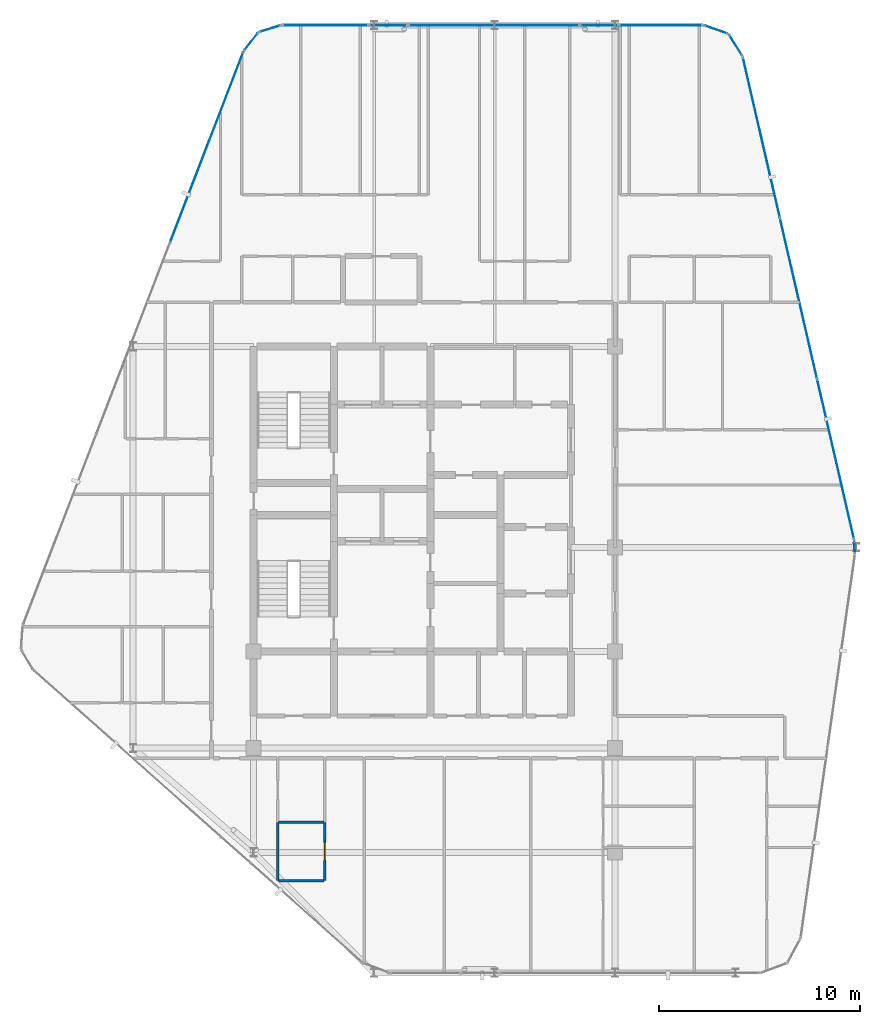
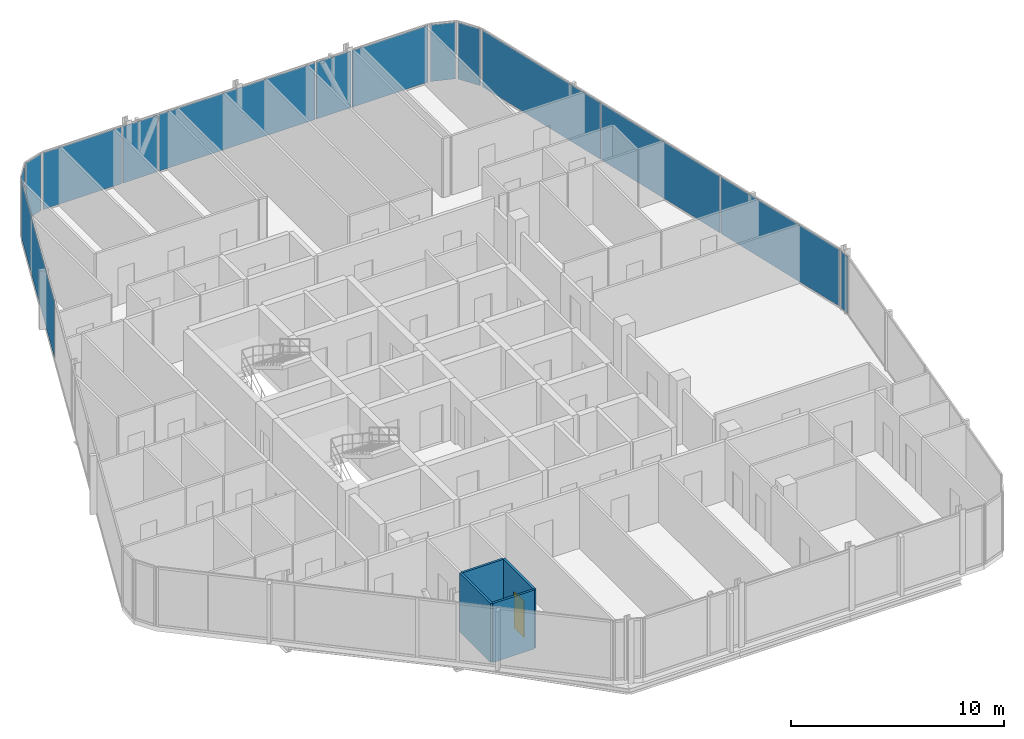
# One storey, part 21 of 27: 14 plates, 4 walls, 1 door, 1 opening, 12 elements without a shape of their own.
"""IFC4 building model written with IfcOpenShell, lengths in metres."""

from ifc_helpers import new_model, si_unit, direction, frame, frame_2d, origin, origin_2d, place, context, subcontext, project, spatial, rectangle, extrude, material, layer, layer_set, type_object, element, fill, aggregate, save


model = new_model("IFC4")

# Units and contexts
model_context = context("Model", 3, precision=1e-05, world=origin(), true_north=direction((0.0, 1.0)))
body_context = subcontext(model_context, "Body", "Model", "MODEL_VIEW")
ifc_project = project(units=[si_unit("LENGTHUNIT", "METRE"), si_unit("AREAUNIT", "SQUARE_METRE"), si_unit("VOLUMEUNIT", "CUBIC_METRE"), si_unit("PLANEANGLEUNIT", "RADIAN"), si_unit("MASSUNIT", "GRAM", prefix="KILO")], contexts=[model_context])

# Site, building, storey
site_placement = place(None, origin())
site = spatial("IfcSite", under=ifc_project, at=site_placement, CompositionType="ELEMENT")
building_placement = place(site_placement, origin())
building = spatial("IfcBuilding", under=site, at=building_placement, Name="Keshet Zoharim Tower", CompositionType="ELEMENT")
storey_placement = place(building_placement, frame((0.0, 0.0, 273.199951171875)))
storey = spatial("IfcBuildingStorey", under=building, at=storey_placement, Name="L68", CompositionType="ELEMENT", Elevation=273.199951171875)

# Curtain wall, plate
ifc_material_1 = material(Name="Aluminium 6063-T6", Category="aluminium")
ifc_layer_1 = layer(ifc_material_1, 0.260009765625)
ifc_layer_set_1 = layer_set([ifc_layer_1], Name="Aluminium 6063-T6")
curtain_wall_type = type_object("IfcCurtainWallType", Name="CW-SYS-06", PredefinedType="NOTDEFINED", material=ifc_layer_set_1)
curtain_wall_1_placement = place(storey_placement, origin())
curtain_wall_1 = element("IfcCurtainWall", 1, at=curtain_wall_1_placement, inside=storey, type_object=curtain_wall_type, Name="L68 Unitised Curtain Wall 03", PredefinedType="NOTDEFINED")
ifc_material_2 = material(Name="Insulated Low-E Clear Glass", Category="glass")
ifc_layer_2 = layer(ifc_material_2, 0.028076171875)
ifc_layer_set_2 = layer_set([ifc_layer_2], Name="Insulated Low-E Clear Glass")
plate_type_1 = type_object("IfcPlateType", Name="CWP-03", PredefinedType="CURTAIN_PANEL", material=ifc_layer_set_2)
plate_1_placement = place(storey_placement, frame((12.665771484375, 47.830810546875, 0.070068359375), z_axis=(0.0, 0.0, 1.0), x_axis=(0.358990003907, 0.933341404361, 0.0)))
plate_1 = element("IfcPlate", 2, at=plate_1_placement, type_object=plate_type_1, Name="CW-06 panel 3.1", PredefinedType="CURTAIN_PANEL", context=body_context, shape_type="SweptSolid", body=[
    extrude(rectangle(XDim=10.1181640625, YDim=0.028076171875, at=origin_2d()), origin(), (0.0, 0.0, 1.0), 3.25),
])
aggregate(curtain_wall_1, [plate_1])

curtain_wall_2_placement = place(storey_placement, origin())
curtain_wall_2 = element("IfcCurtainWall", 3, at=curtain_wall_2_placement, inside=storey, type_object=curtain_wall_type, Name="L68 Unitised Curtain Wall 04", PredefinedType="NOTDEFINED")
plate_2_placement = place(storey_placement, frame((14.8740234375, 53.08349609375, 0.070068359375), z_axis=(0.0, 0.0, 1.0), x_axis=(0.619124525989, 0.785292825205, 0.0)))
plate_2 = element("IfcPlate", 4, at=plate_2_placement, type_object=plate_type_1, Name="CW-06 panel 1.1", PredefinedType="CURTAIN_PANEL", context=body_context, shape_type="SweptSolid", body=[
    extrude(rectangle(XDim=1.045654296875, YDim=0.028076171875, at=origin_2d()), origin(), (0.0, 0.0, 1.0), 3.25),
])
aggregate(curtain_wall_2, [plate_2])

curtain_wall_3_placement = place(storey_placement, origin())
curtain_wall_3 = element("IfcCurtainWall", 5, at=curtain_wall_3_placement, inside=storey, type_object=curtain_wall_type, Name="L68 Unitised Curtain Wall 05", PredefinedType="NOTDEFINED")
plate_3_placement = place(storey_placement, frame((15.8076171875, 53.724609375, 0.070068359375), z_axis=(0.0, 0.0, 1.0), x_axis=(0.955212151288, 0.295921857984, 0.0)))
plate_3 = element("IfcPlate", 6, at=plate_3_placement, type_object=plate_type_1, Name="CW-06 panel 1.1", PredefinedType="CURTAIN_PANEL", context=body_context, shape_type="SweptSolid", body=[
    extrude(rectangle(XDim=1.046142578125, YDim=0.028076171875, at=origin_2d()), origin(), (0.0, 0.0, 1.0), 3.25),
])
aggregate(curtain_wall_3, [plate_3])

curtain_wall_4_placement = place(storey_placement, origin())
curtain_wall_4 = element("IfcCurtainWall", 7, at=curtain_wall_4_placement, inside=storey, type_object=curtain_wall_type, Name="L68 Unitised Curtain Wall 06", PredefinedType="NOTDEFINED")
plate_4_placement = place(storey_placement, frame((18.57470703125, 53.89990234375, 0.070068359375), z_axis=(0.0, 0.0, 1.0), x_axis=(1.0, 0.0, 0.0)))
plate_4 = element("IfcPlate", 8, at=plate_4_placement, type_object=plate_type_1, Name="CW-06 panel 1.1", PredefinedType="CURTAIN_PANEL", context=body_context, shape_type="SweptSolid", body=[
    extrude(rectangle(XDim=4.26123046875, YDim=0.028076171875, at=origin_2d()), origin(), (0.0, 0.0, 1.0), 3.25),
])
aggregate(curtain_wall_4, [plate_4])

curtain_wall_5_placement = place(storey_placement, origin())
curtain_wall_5 = element("IfcCurtainWall", 9, at=curtain_wall_5_placement, inside=storey, type_object=curtain_wall_type, Name="L68 Unitised Curtain Wall 06 Part 3", PredefinedType="NOTDEFINED")
plate_5_placement = place(storey_placement, frame((26.965087890625, 53.89990234375, 0.070068359375), z_axis=(0.0, 0.0, 1.0), x_axis=(1.0, 0.0, 0.0)))
plate_5 = element("IfcPlate", 10, at=plate_5_placement, type_object=plate_type_1, Name="CW-06 panel 1.1", PredefinedType="CURTAIN_PANEL", context=body_context, shape_type="SweptSolid", body=[
    extrude(rectangle(XDim=8.48046875, YDim=0.028076171875, at=origin_2d()), origin(), (0.0, 0.0, 1.0), 3.25),
])
aggregate(curtain_wall_5, [plate_5])

curtain_wall_6_placement = place(storey_placement, origin())
curtain_wall_6 = element("IfcCurtainWall", 11, at=curtain_wall_6_placement, inside=storey, type_object=curtain_wall_type, Name="L68 Unitised Curtain Wall 06 Part 5", PredefinedType="NOTDEFINED")
plate_6_placement = place(storey_placement, frame((35.281982421875, 53.89990234375, 0.070068359375), z_axis=(0.0, 0.0, 1.0), x_axis=(1.0, 0.0, 0.0)))
plate_6 = element("IfcPlate", 12, at=plate_6_placement, type_object=plate_type_1, Name="CW-06 panel 1.1", PredefinedType="CURTAIN_PANEL", context=body_context, shape_type="SweptSolid", body=[
    extrude(rectangle(XDim=4.1142578125, YDim=0.028076171875, at=origin_2d()), origin(), (0.0, 0.0, 1.0), 3.25),
])
aggregate(curtain_wall_6, [plate_6])

curtain_wall_7_placement = place(storey_placement, origin())
curtain_wall_7 = element("IfcCurtainWall", 13, at=curtain_wall_7_placement, inside=storey, type_object=curtain_wall_type, Name="L68 Unitised Curtain Wall 07", PredefinedType="NOTDEFINED")
plate_7_placement = place(storey_placement, frame((38.031494140625, 53.6826171875, 0.070068359375), z_axis=(0.0, 0.0, 1.0), x_axis=(0.944035542119, -0.329843743636, 0.0)))
plate_7 = element("IfcPlate", 14, at=plate_7_placement, type_object=plate_type_1, Name="CW-06 panel 1.1", PredefinedType="CURTAIN_PANEL", context=body_context, shape_type="SweptSolid", body=[
    extrude(rectangle(XDim=1.1787109375, YDim=0.028076171875, at=origin_2d()), origin(), (0.0, 0.0, 1.0), 3.25),
])
aggregate(curtain_wall_7, [plate_7])

curtain_wall_8_placement = place(storey_placement, origin())
curtain_wall_8 = element("IfcCurtainWall", 15, at=curtain_wall_8_placement, inside=storey, type_object=curtain_wall_type, Name="L68 Unitised Curtain Wall 08", PredefinedType="NOTDEFINED")
plate_8_placement = place(storey_placement, frame((39.006103515625, 52.907470703125, 0.070068359375), z_axis=(0.0, 0.0, 1.0), x_axis=(0.533878858502, -0.845560976183, 0.0)))
plate_8 = element("IfcPlate", 16, at=plate_8_placement, type_object=plate_type_1, Name="CW-06 panel 1.1", PredefinedType="CURTAIN_PANEL", context=body_context, shape_type="SweptSolid", body=[
    extrude(rectangle(XDim=1.1787109375, YDim=0.028076171875, at=origin_2d()), origin(), (0.0, 0.0, 1.0), 3.25),
])
aggregate(curtain_wall_8, [plate_8])

# Curtain wall, plates
curtain_wall_9_placement = place(storey_placement, origin())
curtain_wall_9 = element("IfcCurtainWall", 17, at=curtain_wall_9_placement, inside=storey, type_object=curtain_wall_type, Name="L68 Unitised Curtain Wall 09", PredefinedType="NOTDEFINED")
plate_9_placement = place(storey_placement, frame((40.288330078125, 48.318359375, 0.070068359375), z_axis=(0.0, 0.0, 1.0), x_axis=(0.224829963294, -0.974398012932, 0.0)))
plate_9 = element("IfcPlate", 18, at=plate_9_placement, type_object=plate_type_1, Name="CW-06 panel 1.1", PredefinedType="CURTAIN_PANEL", context=body_context, shape_type="SweptSolid", body=[
    extrude(rectangle(XDim=8.13525390625, YDim=0.028076171875, at=origin_2d()), origin(), (0.0, 0.0, 1.0), 3.25),
])
plate_10_placement = place(storey_placement, frame((42.136962890625, 40.305908203125, 0.070068359375), z_axis=(0.0, 0.0, 1.0), x_axis=(0.224829963294, -0.974398012932, 0.0)))
plate_10 = element("IfcPlate", 19, at=plate_10_placement, type_object=plate_type_1, Name="CW-06 panel 2.1", PredefinedType="CURTAIN_PANEL", context=body_context, shape_type="SweptSolid", body=[
    extrude(rectangle(XDim=8.17041015625, YDim=0.028076171875, at=origin_2d()), origin(), (0.0, 0.0, 1.0), 3.25),
])
plate_11_placement = place(storey_placement, frame((43.98583984375, 32.293701171875, 0.070068359375), z_axis=(0.0, 0.0, 1.0), x_axis=(0.224829963294, -0.974398012932, 0.0)))
plate_11 = element("IfcPlate", 20, at=plate_11_placement, type_object=plate_type_1, Name="CW-06 panel 3.1", PredefinedType="CURTAIN_PANEL", context=body_context, shape_type="SweptSolid", body=[
    extrude(rectangle(XDim=8.13525390625, YDim=0.028076171875, at=origin_2d()), origin(), (0.0, 0.0, 1.0), 3.25),
])
aggregate(curtain_wall_9, [plate_9, plate_10, plate_11])

# Curtain wall, plate
curtain_wall_10_placement = place(storey_placement, origin())
curtain_wall_10 = element("IfcCurtainWall", 21, at=curtain_wall_10_placement, inside=storey, type_object=curtain_wall_type, Name="L68 Unitised Curtain Wall 10", PredefinedType="NOTDEFINED")
plate_12_placement = place(storey_placement, frame((44.931884765625, 27.89697265625, 0.070068359375), z_axis=(0.0, 0.0, 1.0), x_axis=(0.043793560626, -0.999040601801, 0.0)))
plate_12 = element("IfcPlate", 22, at=plate_12_placement, type_object=plate_type_1, Name="CW-06 panel 1.1", PredefinedType="CURTAIN_PANEL", context=body_context, shape_type="SweptSolid", body=[
    extrude(rectangle(XDim=0.5908203125, YDim=0.028076171875, at=origin_2d()), origin(), (0.0, 0.0, 1.0), 3.25),
])
aggregate(curtain_wall_10, [plate_12])

curtain_wall_11_placement = place(storey_placement, origin())
curtain_wall_11 = element("IfcCurtainWall", 23, at=curtain_wall_11_placement, inside=storey, type_object=curtain_wall_type, Name="L68 Unitised Curtain Wall 06 Part 2", PredefinedType="NOTDEFINED")
ifc_material_3 = material(Name="Insulated Aluminium Spandrel Panel", Category="aluminium")
ifc_layer_3 = layer(ifc_material_3, 0.028076171875)
ifc_layer_set_3 = layer_set([ifc_layer_3], Name="Insulated Aluminium Spandrel Panel")
plate_type_2 = type_object("IfcPlateType", Name="CWP-06", PredefinedType="CURTAIN_PANEL", material=ifc_layer_set_3)
plate_13_placement = place(storey_placement, frame((21.715087890625, 53.89990234375, 0.070068359375), z_axis=(0.0, 0.0, 1.0), x_axis=(1.0, 0.0, 0.0)))
plate_13 = element("IfcPlate", 24, at=plate_13_placement, type_object=plate_type_2, Name="CW-06 spandrel panel 1.1", PredefinedType="CURTAIN_PANEL", context=body_context, shape_type="SweptSolid", body=[
    extrude(rectangle(XDim=1.879638671875, YDim=0.028076171875, at=origin_2d()), origin(), (0.0, 0.0, 1.0), 3.25),
])
aggregate(curtain_wall_11, [plate_13])

curtain_wall_12_placement = place(storey_placement, origin())
curtain_wall_12 = element("IfcCurtainWall", 25, at=curtain_wall_12_placement, inside=storey, type_object=curtain_wall_type, Name="L68 Unitised Curtain Wall 06 Part 4", PredefinedType="NOTDEFINED")
plate_14_placement = place(storey_placement, frame((32.215087890625, 53.89990234375, 0.070068359375), z_axis=(0.0, 0.0, 1.0), x_axis=(1.0, 0.0, 0.0)))
plate_14 = element("IfcPlate", 26, at=plate_14_placement, type_object=plate_type_2, Name="CW-06 spandrel panel 1.1", PredefinedType="CURTAIN_PANEL", context=body_context, shape_type="SweptSolid", body=[
    extrude(rectangle(XDim=1.879638671875, YDim=0.028076171875, at=origin_2d()), origin(), (0.0, 0.0, 1.0), 3.25),
])
aggregate(curtain_wall_12, [plate_14])

# Wall
ifc_material_4 = material(Name="Gypsum Plasterboard", Category="gypsum")
ifc_layer_4 = layer(ifc_material_4, 0.1201171875)
ifc_layer_set_4 = layer_set([ifc_layer_4], Name="Gypsum Plasterboard")
wall_type = type_object("IfcWallType", Name="WL-WET-120", PredefinedType="PARTITIONING", material=ifc_layer_set_4)
wall_1_placement = place(storey_placement, frame((16.199951171875, 11.300048828125, 0.0), z_axis=(0.0, 0.0, 1.0), x_axis=(0.0, 1.0, 0.0)))
element("IfcWall", 27, at=wall_1_placement, inside=storey, type_object=wall_type, Name="L68 Interior Wall 020", PredefinedType="PARTITIONING", context=body_context, shape_type="SweptSolid", body=[
    extrude(rectangle(XDim=2.89990234375, YDim=0.1201171875, at=frame_2d((1.449951171875, 0.0))), origin(), (0.0, 0.0, 1.0), 3.39013671875),
])

# Wall, opening, door
wall_2_placement = place(storey_placement, frame((18.550048828125, 11.300048828125, 0.0), z_axis=(0.0, 0.0, 1.0), x_axis=(0.0, 1.0, 0.0)))
wall_2 = element("IfcWall", 28, at=wall_2_placement, inside=storey, type_object=wall_type, Name="L68 Interior Wall 024", PredefinedType="PARTITIONING", context=body_context, shape_type="SweptSolid", body=[
    extrude(rectangle(XDim=2.89990234375, YDim=0.1201171875, at=frame_2d((1.449951171875, 0.0))), origin(), (0.0, 0.0, 1.0), 3.39013671875),
])
opening_placement = place(wall_2_placement, frame((1.0, 0.0, 0.0)))
opening = element("IfcOpeningElement", 29, at=opening_placement, cuts=wall_2, Name="Opening D-WT90", PredefinedType="OPENING", context=body_context, shape_type="SweptSolid", body=[
    extrude(rectangle(XDim=0.89990234375, YDim=2.10009765625, at=frame_2d((0.449951171875, 1.050048828125))), frame((0.0, 0.070068359375, 0.0), z_axis=(0.0, -1.0, 0.0), x_axis=(1.0, 0.0, 0.0)), (0.0, 0.0, 1.0), 0.14013671875),
])
ifc_material_5 = material(Name="Hardwood Timber", Category="wood")
door_type = type_object("IfcDoorType", Name="DR-WET-090", OperationType="NOTDEFINED", PredefinedType="DOOR", material=ifc_material_5)
door_placement = place(opening_placement, origin())
door = element("IfcDoor", 30, at=door_placement, inside=storey, type_object=door_type, Name="Apartment 6801 Bathroom Door", OperationType="SINGLE_SWING_LEFT", OverallHeight=2.10009765625, OverallWidth=0.89990234375, PredefinedType="DOOR", context=body_context, shape_type="SweptSolid", body=[
    extrude(rectangle(XDim=0.89990234375, YDim=2.10009765625, at=frame_2d((0.449951171875, 1.050048828125))), frame((0.0, 0.02490234375, 0.0), z_axis=(0.0, -1.0, 0.0), x_axis=(1.0, 0.0, 0.0)), (0.0, 0.0, 1.0), 0.050048828125),
])
fill(opening, door)

# Walls
for number, where, z_axis, x_axis, name in (
    (31, (16.2451171875, 11.300048828125, 0.0), (0.0, 0.0, 1.0), (1.0, 0.0, 0.0), "L68 Interior Wall 086"),
    (32, (16.2451171875, 14.199951171875, 0.0), (0.0, 0.0, 1.0), (1.0, 0.0, 0.0), "L68 Interior Wall 089"),
):
    element("IfcWall", number, at=place(storey_placement, frame(where, z_axis=z_axis, x_axis=x_axis)), inside=storey, type_object=wall_type, Name=name, PredefinedType="PARTITIONING", context=body_context, shape_type="SweptSolid", body=[
        extrude(rectangle(XDim=2.259765625, YDim=0.1201171875, at=frame_2d((1.1298828125, 0.0))), origin(), (0.0, 0.0, 1.0), 3.39013671875),
    ])

save(model, "model.ifc")
